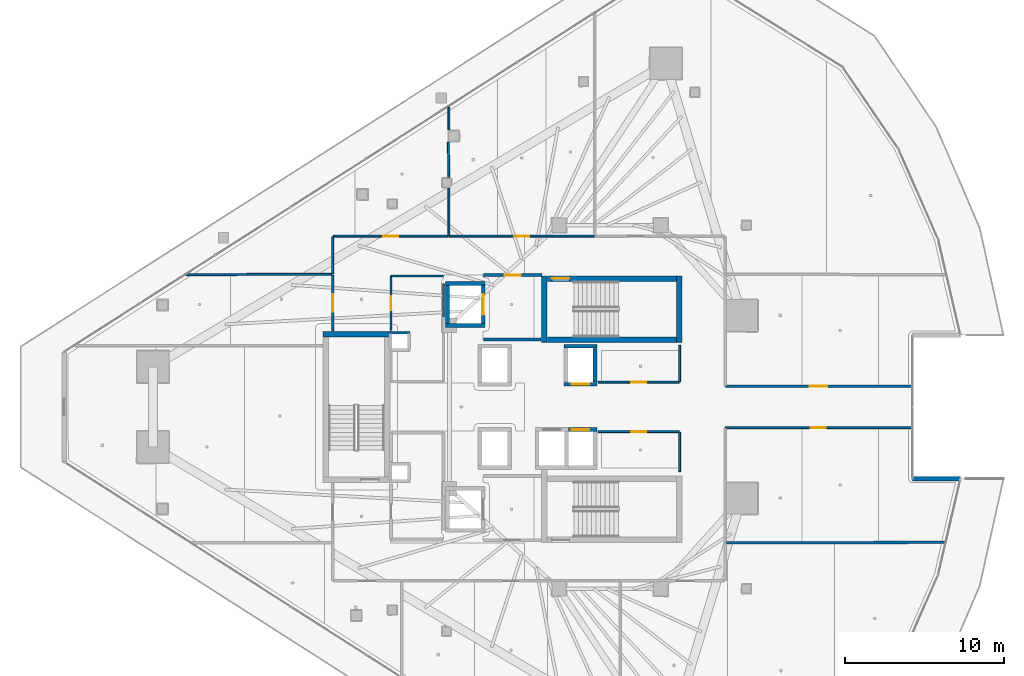
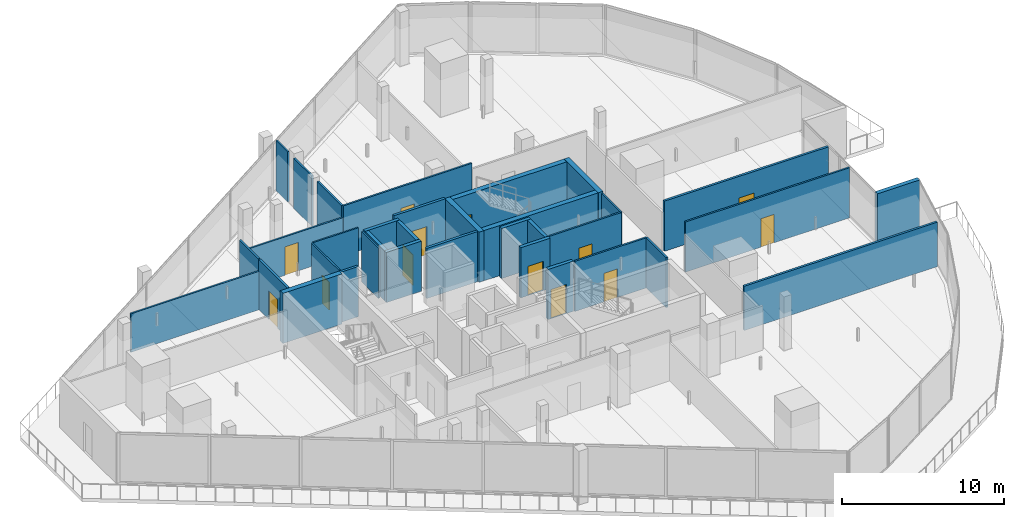
# One storey, part 26 of 36: 35 walls, 13 doors, 13 openings.
"""IFC4 building model written with IfcOpenShell, lengths in metres."""

from ifc_helpers import new_model, si_unit, direction, frame, frame_2d, origin, place, context, subcontext, project, spatial, rectangle, extrude, material, layer, layer_set, type_object, element, fill, save


model = new_model("IFC4")

# Units and contexts
model_context = context("Model", 3, precision=1e-05, world=origin(), true_north=direction((0.0, 1.0)))
body_context = subcontext(model_context, "Body", "Model", "MODEL_VIEW")
ifc_project = project(units=[si_unit("LENGTHUNIT", "METRE"), si_unit("AREAUNIT", "SQUARE_METRE"), si_unit("VOLUMEUNIT", "CUBIC_METRE"), si_unit("PLANEANGLEUNIT", "RADIAN"), si_unit("MASSUNIT", "GRAM", prefix="KILO")], contexts=[model_context])

# Site, building, storey
site_placement = place(None, origin())
site = spatial("IfcSite", under=ifc_project, at=site_placement, CompositionType="ELEMENT")
building_placement = place(site_placement, origin())
building = spatial("IfcBuilding", under=site, at=building_placement, Name="Qorvath Tower", CompositionType="ELEMENT")
storey_placement = place(building_placement, frame((0.0, 0.0, 205.050048828125)))
storey = spatial("IfcBuildingStorey", under=building, at=storey_placement, Name="L47", CompositionType="ELEMENT", Elevation=205.050048828125)

# Walls
ifc_material_1 = material(Name="Gypsum shaftliner on steel studs", Category="steel")
ifc_layer_1 = layer(ifc_material_1, 0.179931640625)
ifc_layer_set_1 = layer_set([ifc_layer_1], Name="FW-LOBBY")
wall_type_1 = type_object("IfcWallType", Name="FW-LOBBY", PredefinedType="PARTITIONING", material=ifc_layer_set_1)
wall_1_placement = place(storey_placement, frame((-34.260009765625, 4.675048828125, 0.0), z_axis=(0.0, 0.0, 1.0), x_axis=(1.0, 0.0, 0.0)))
element("IfcWall", 1, at=wall_1_placement, inside=storey, type_object=wall_type_1, Name="MEP Riser Shaft Enclosure Wall N-L47-N", PredefinedType="PARTITIONING", context=body_context, shape_type="SweptSolid", body=[
    extrude(rectangle(XDim=1.27001953125, YDim=0.179931640625, at=frame_2d((0.635009765625, 0.0))), origin(), (0.0, 0.0, 1.0), 3.780029296875),
])
wall_2_placement = place(storey_placement, frame((-28.35498046875, 4.25, 0.0), z_axis=(0.0, 0.0, 1.0), x_axis=(1.0, 0.0, 0.0)))
element("IfcWall", 2, at=wall_2_placement, inside=storey, type_object=wall_type_1, Name="Interior Partition IW-T1-L47-001", PredefinedType="PARTITIONING", context=body_context, shape_type="SweptSolid", body=[
    extrude(rectangle(XDim=3.6220703125, YDim=0.179931640625, at=frame_2d((1.81103515625, 0.0))), origin(), (0.0, 0.0, 1.0), 3.780029296875),
])

# Wall, opening, door
wall_3_placement = place(storey_placement, frame((-24.68408203125, 8.300048828125, 0.0), z_axis=(0.0, 0.0, 1.0), x_axis=(-1.0, 0.0, 0.0)))
wall_3 = element("IfcWall", 3, at=wall_3_placement, inside=storey, type_object=wall_type_1, Name="Interior Partition IW-T1-L47-002", PredefinedType="PARTITIONING", context=body_context, shape_type="SweptSolid", body=[
    extrude(rectangle(XDim=3.6708984375, YDim=0.179931640625, at=frame_2d((1.83544921875, 0.0))), origin(), (0.0, 0.0, 1.0), 3.780029296875),
])
opening_1_placement = place(wall_3_placement, frame((1.33544921875, 0.0, 0.0)))
opening_1 = element("IfcOpeningElement", 4, at=opening_1_placement, cuts=wall_3, Name="Opening D-T1-L47-15", PredefinedType="OPENING", context=body_context, shape_type="SweptSolid", body=[
    extrude(rectangle(XDim=1.0, YDim=2.14990234375, at=frame_2d((0.5, 1.074951171875))), frame((0.0, 0.10009765625, 0.0), z_axis=(0.0, -1.0, 0.0), x_axis=(1.0, 0.0, 0.0)), (0.0, 0.0, 1.0), 0.199951171875),
])
ifc_material_2 = material(Name="Painted galvanised hollow metal", Category="steel")
door_type_1 = type_object("IfcDoorType", Name="FD-60", OperationType="NOTDEFINED", PredefinedType="DOOR", material=ifc_material_2)
door_1_placement = place(opening_1_placement, origin())
door_1 = element("IfcDoor", 5, at=door_1_placement, inside=storey, type_object=door_type_1, Name="Lobby Fire Service Elevator North Door D-T1-L47-15", OperationType="SINGLE_SWING_LEFT", OverallHeight=2.14990234375, OverallWidth=1.0, PredefinedType="DOOR", context=body_context, shape_type="SweptSolid", body=[
    extrude(rectangle(XDim=1.0, YDim=2.14990234375, at=frame_2d((0.5, 1.074951171875))), frame((0.0, 0.02490234375, 0.0), z_axis=(0.0, -1.0, 0.0), x_axis=(1.0, 0.0, 0.0)), (0.0, 0.0, 1.0), 0.050048828125),
])
fill(opening_1, door_1)

# Wall
ifc_material_3 = material(Name="Double acoustic gypsum board on steel studs", Category="steel")
ifc_layer_2 = layer(ifc_material_3, 0.159912109375)
ifc_layer_set_2 = layer_set([ifc_layer_2], Name="IW-ACOUSTIC-160")
wall_type_2 = type_object("IfcWallType", Name="IW-ACOUSTIC-160", PredefinedType="PARTITIONING", material=ifc_layer_set_2)
wall_4_placement = place(storey_placement, frame((0.671630859375, -8.534423828125, 0.0), z_axis=(0.0, 0.0, 1.0), x_axis=(-0.99999935797, -0.001133163812, 0.0)))
element("IfcWall", 6, at=wall_4_placement, inside=storey, type_object=wall_type_2, Name="Interior Partition IW-T1-L47-038", PredefinedType="PARTITIONING", context=body_context, shape_type="SweptSolid", body=[
    extrude(rectangle(XDim=13.788818359375, YDim=0.159912109375, at=frame_2d((6.89453125, 0.0))), origin(), (0.0, 0.0, 1.0), 3.34423828125),
])

# Wall, opening, door
wall_5_placement = place(storey_placement, frame((-13.1171875, 1.30810546875, 0.0), z_axis=(0.0, 0.0, 1.0), x_axis=(1.0, 0.0, 0.0)))
wall_5 = element("IfcWall", 7, at=wall_5_placement, inside=storey, type_object=wall_type_2, Name="Interior Partition IW-T1-L47-044", PredefinedType="PARTITIONING", context=body_context, shape_type="SweptSolid", body=[
    extrude(rectangle(XDim=11.7080078125, YDim=0.159912109375, at=frame_2d((5.85400390625, 0.0))), origin(), (0.0, 0.0, 1.0), 3.780029296875),
])
opening_2_placement = place(wall_5_placement, frame((5.303955078125, 0.0, 0.0)))
opening_2 = element("IfcOpeningElement", 8, at=opening_2_placement, cuts=wall_5, Name="Opening D-T1-L47-12", PredefinedType="OPENING", context=body_context, shape_type="SweptSolid", body=[
    extrude(rectangle(XDim=1.10009765625, YDim=2.14990234375, at=frame_2d((0.550048828125, 1.074951171875))), frame((0.0, 0.08984375, 0.0), z_axis=(0.0, -1.0, 0.0), x_axis=(1.0, 0.0, 0.0)), (0.0, 0.0, 1.0), 0.179931640625),
])
ifc_material_4 = material(Name="Anodised aluminium acoustic framed glass", Category="aluminium")
door_type_2 = type_object("IfcDoorType", Name="D-03", OperationType="NOTDEFINED", PredefinedType="DOOR", material=ifc_material_4)
door_2_placement = place(opening_2_placement, origin())
door_2 = element("IfcDoor", 9, at=door_2_placement, inside=storey, type_object=door_type_2, Name="L47-08 Enclosed Conference Suite Door D-T1-L47-12", OperationType="SINGLE_SWING_RIGHT", OverallHeight=2.14990234375, OverallWidth=1.10009765625, PredefinedType="DOOR", context=body_context, shape_type="SweptSolid", body=[
    extrude(rectangle(XDim=1.10009765625, YDim=2.14990234375, at=frame_2d((0.550048828125, 1.074951171875))), frame((0.0, 0.02490234375, 0.0), z_axis=(0.0, -1.0, 0.0), x_axis=(1.0, 0.0, 0.0)), (0.0, 0.0, 1.0), 0.050048828125),
])
fill(opening_2, door_2)

wall_6_placement = place(storey_placement, frame((-37.85791015625, 4.783203125, 0.0), z_axis=(0.0, 0.0, 1.0), x_axis=(0.0, 1.0, 0.0)))
wall_6 = element("IfcWall", 10, at=wall_6_placement, inside=storey, type_object=wall_type_2, Name="Interior Partition IW-T1-L47-047", PredefinedType="PARTITIONING", context=body_context, shape_type="SweptSolid", body=[
    extrude(rectangle(XDim=3.53369140625, YDim=0.159912109375, at=frame_2d((1.766845703125, 0.0))), origin(), (0.0, 0.0, 1.0), 3.780029296875),
])
opening_3_placement = place(wall_6_placement, frame((1.216796875, 0.0, 0.0)))
opening_3 = element("IfcOpeningElement", 11, at=opening_3_placement, cuts=wall_6, Name="Opening D-T1-L47-14", PredefinedType="OPENING", context=body_context, shape_type="SweptSolid", body=[
    extrude(rectangle(XDim=1.10009765625, YDim=2.14990234375, at=frame_2d((0.550048828125, 1.074951171875))), frame((0.0, 0.08984375, 0.0), z_axis=(0.0, -1.0, 0.0), x_axis=(1.0, 0.0, 0.0)), (0.0, 0.0, 1.0), 0.179931640625),
])
door_3_placement = place(opening_3_placement, origin())
door_3 = element("IfcDoor", 12, at=door_3_placement, inside=storey, type_object=door_type_2, Name="L47-10 Client Services Office Door D-T1-L47-14", OperationType="SINGLE_SWING_RIGHT", OverallHeight=2.14990234375, OverallWidth=1.10009765625, PredefinedType="DOOR", context=body_context, shape_type="SweptSolid", body=[
    extrude(rectangle(XDim=1.10009765625, YDim=2.14990234375, at=frame_2d((0.550048828125, 1.074951171875))), frame((0.0, 0.02490234375, 0.0), z_axis=(0.0, -1.0, 0.0), x_axis=(1.0, 0.0, 0.0)), (0.0, 0.0, 1.0), 0.050048828125),
])
fill(opening_3, door_3)

ifc_material_5 = material(Name="Gypsum board on metal studs with mineral wool", Category="gypsum")
ifc_layer_3 = layer(ifc_material_5, 0.125)
ifc_layer_set_3 = layer_set([ifc_layer_3], Name="IW-PART-125")
wall_type_3 = type_object("IfcWallType", Name="IW-PART-125", PredefinedType="PARTITIONING", material=ifc_layer_set_3)
wall_7_placement = place(storey_placement, frame((-21.1337890625, 1.56005859375, 0.0), z_axis=(0.0, 0.0, 1.0), x_axis=(1.0, 0.0, 0.0)))
wall_7 = element("IfcWall", 13, at=wall_7_placement, inside=storey, type_object=wall_type_3, Name="Interior Partition IW-T1-L47-011", PredefinedType="PARTITIONING", context=body_context, shape_type="SweptSolid", body=[
    extrude(rectangle(XDim=5.10888671875, YDim=0.125, at=frame_2d((2.554443359375, 0.0))), origin(), (0.0, 0.0, 1.0), 3.780029296875),
])
opening_4_placement = place(wall_7_placement, frame((2.079345703125, 0.0, 0.0)))
opening_4 = element("IfcOpeningElement", 14, at=opening_4_placement, cuts=wall_7, Name="Opening D-T1-L47-02", PredefinedType="OPENING", context=body_context, shape_type="SweptSolid", body=[
    extrude(rectangle(XDim=0.949951171875, YDim=2.14990234375, at=frame_2d((0.47509765625, 1.074951171875))), frame((0.0, 0.072509765625, 0.0), z_axis=(0.0, -1.0, 0.0), x_axis=(1.0, 0.0, 0.0)), (0.0, 0.0, 1.0), 0.14501953125),
])
ifc_material_6 = material(Name="Solid-core American white oak veneer", Category="wood")
door_type_3 = type_object("IfcDoorType", Name="D-01", OperationType="NOTDEFINED", PredefinedType="DOOR", material=ifc_material_6)
door_4_placement = place(opening_4_placement, origin())
door_4 = element("IfcDoor", 15, at=door_4_placement, inside=storey, type_object=door_type_3, Name="L47-RCN North Quantitative Server Suite Door D-T1-L47-02", OperationType="SINGLE_SWING_RIGHT", OverallHeight=2.14990234375, OverallWidth=0.949951171875, PredefinedType="DOOR", context=body_context, shape_type="SweptSolid", body=[
    extrude(rectangle(XDim=0.949951171875, YDim=2.14990234375, at=frame_2d((0.47509765625, 1.074951171875))), frame((0.0, 0.02490234375, 0.0), z_axis=(0.0, -1.0, 0.0), x_axis=(1.0, 0.0, 0.0)), (0.0, 0.0, 1.0), 0.050048828125),
])
fill(opening_4, door_4)

# Walls
wall_8_placement = place(storey_placement, frame((-16.0, 1.585205078125, 0.0), z_axis=(0.0, 0.0, 1.0), x_axis=(0.0, 1.0, 0.0)))
element("IfcWall", 16, at=wall_8_placement, inside=storey, type_object=wall_type_3, Name="Interior Partition IW-T1-L47-012", PredefinedType="PARTITIONING", context=body_context, shape_type="SweptSolid", body=[
    extrude(rectangle(XDim=2.30224609375, YDim=0.125, at=frame_2d((1.151123046875, 0.0))), origin(), (0.0, 0.0, 1.0), 3.780029296875),
])
wall_9_placement = place(storey_placement, frame((-16.0, -4.0751953125, 0.0), z_axis=(0.0, 0.0, 1.0), x_axis=(0.0, 1.0, 0.0)))
element("IfcWall", 17, at=wall_9_placement, inside=storey, type_object=wall_type_3, Name="Interior Partition IW-T1-L47-013", PredefinedType="PARTITIONING", context=body_context, shape_type="SweptSolid", body=[
    extrude(rectangle(XDim=2.489990234375, YDim=0.125, at=frame_2d((1.2451171875, 0.0))), origin(), (0.0, 0.0, 1.0), 3.780029296875),
])

# Wall, opening, door
wall_10_placement = place(storey_placement, frame((-16.02490234375, -1.56005859375, 0.0), z_axis=(0.0, 0.0, 1.0), x_axis=(-1.0, 0.0, 0.0)))
wall_10 = element("IfcWall", 18, at=wall_10_placement, inside=storey, type_object=wall_type_3, Name="Interior Partition IW-T1-L47-014", PredefinedType="PARTITIONING", context=body_context, shape_type="SweptSolid", body=[
    extrude(rectangle(XDim=5.10888671875, YDim=0.125, at=frame_2d((2.554443359375, 0.0))), origin(), (0.0, 0.0, 1.0), 3.780029296875),
])
opening_5_placement = place(wall_10_placement, frame((2.079345703125, 0.0, 0.0)))
opening_5 = element("IfcOpeningElement", 19, at=opening_5_placement, cuts=wall_10, Name="Opening D-T1-L47-03", PredefinedType="OPENING", context=body_context, shape_type="SweptSolid", body=[
    extrude(rectangle(XDim=0.949951171875, YDim=2.14990234375, at=frame_2d((0.47509765625, 1.074951171875))), frame((0.0, 0.072509765625, 0.0), z_axis=(0.0, -1.0, 0.0), x_axis=(1.0, 0.0, 0.0)), (0.0, 0.0, 1.0), 0.14501953125),
])
door_5_placement = place(opening_5_placement, origin())
door_5 = element("IfcDoor", 20, at=door_5_placement, inside=storey, type_object=door_type_3, Name="L47-RCS South Quantitative Server Suite Door D-T1-L47-03", OperationType="SINGLE_SWING_LEFT", OverallHeight=2.14990234375, OverallWidth=0.949951171875, PredefinedType="DOOR", context=body_context, shape_type="SweptSolid", body=[
    extrude(rectangle(XDim=0.949951171875, YDim=2.14990234375, at=frame_2d((0.47509765625, 1.074951171875))), frame((0.0, 0.02490234375, 0.0), z_axis=(0.0, -1.0, 0.0), x_axis=(1.0, 0.0, 0.0)), (0.0, 0.0, 1.0), 0.050048828125),
])
fill(opening_5, door_5)

# Wall
wall_11_placement = place(storey_placement, frame((-37.85791015625, 10.733154296875, 0.0), z_axis=(0.0, 0.0, 1.0), x_axis=(0.0, -1.0, 0.0)))
element("IfcWall", 21, at=wall_11_placement, inside=storey, type_object=wall_type_3, Name="Interior Partition IW-T1-L47-021", PredefinedType="PARTITIONING", context=body_context, shape_type="SweptSolid", body=[
    extrude(rectangle(XDim=2.358154296875, YDim=0.125, at=frame_2d((1.17919921875, 0.0))), origin(), (0.0, 0.0, 1.0), 3.780029296875),
])

# Wall, opening, door
wall_12_placement = place(storey_placement, frame((-37.8330078125, 10.758056640625, 0.0), z_axis=(0.0, 0.0, 1.0), x_axis=(1.0, 0.0, 0.0)))
wall_12 = element("IfcWall", 22, at=wall_12_placement, inside=storey, type_object=wall_type_3, Name="Interior Partition IW-T1-L47-022", PredefinedType="PARTITIONING", context=body_context, shape_type="SweptSolid", body=[
    extrude(rectangle(XDim=7.26318359375, YDim=0.125, at=frame_2d((3.631591796875, 0.0))), origin(), (0.0, 0.0, 1.0), 2.89990234375),
])
opening_6_placement = place(wall_12_placement, frame((3.156494140625, 0.0, 0.0)))
opening_6 = element("IfcOpeningElement", 23, at=opening_6_placement, cuts=wall_12, Name="Opening D-T1-L47-05", PredefinedType="OPENING", context=body_context, shape_type="SweptSolid", body=[
    extrude(rectangle(XDim=0.949951171875, YDim=2.14990234375, at=frame_2d((0.47509765625, 1.074951171875))), frame((0.0, 0.072509765625, 0.0), z_axis=(0.0, -1.0, 0.0), x_axis=(1.0, 0.0, 0.0)), (0.0, 0.0, 1.0), 0.14501953125),
])
door_6_placement = place(opening_6_placement, origin())
door_6 = element("IfcDoor", 24, at=door_6_placement, inside=storey, type_object=door_type_3, Name="L47-01 Staff Wellness Studio Door D-T1-L47-05", OperationType="SINGLE_SWING_LEFT", OverallHeight=2.14990234375, OverallWidth=0.949951171875, PredefinedType="DOOR", context=body_context, shape_type="SweptSolid", body=[
    extrude(rectangle(XDim=0.949951171875, YDim=2.14990234375, at=frame_2d((0.47509765625, 1.074951171875))), frame((0.0, 0.02490234375, 0.0), z_axis=(0.0, -1.0, 0.0), x_axis=(1.0, 0.0, 0.0)), (0.0, 0.0, 1.0), 0.050048828125),
])
fill(opening_6, door_6)

# Walls
wall_13_placement = place(storey_placement, frame((-30.544921875, 10.783203125, 0.0), z_axis=(0.0, 0.0, 1.0), x_axis=(0.0, 1.0, 0.0)))
element("IfcWall", 25, at=wall_13_placement, inside=storey, type_object=wall_type_3, Name="Interior Partition IW-T1-L47-023", PredefinedType="PARTITIONING", context=body_context, shape_type="SweptSolid", body=[
    extrude(rectangle(XDim=3.0009765625, YDim=0.125, at=frame_2d((1.50048828125, 0.0))), origin(), (0.0, 0.0, 1.0), 3.780029296875),
])
wall_14_placement = place(storey_placement, frame((-30.54541015625, 14.46435546875, 0.0), z_axis=(0.0, 0.0, 1.0), x_axis=(-0.01173394248, 0.999931154927, 0.0)))
element("IfcWall", 26, at=wall_14_placement, inside=storey, type_object=wall_type_3, Name="Interior Partition IW-T1-L47-024", PredefinedType="PARTITIONING", context=body_context, shape_type="SweptSolid", body=[
    extrude(rectangle(XDim=2.20556640625, YDim=0.125, at=frame_2d((1.102783203125, 0.0))), origin(), (0.0, 0.0, 1.0), 3.780029296875),
])
wall_15_placement = place(storey_placement, frame((-30.544921875, 17.44970703125, 0.0), z_axis=(0.0, 0.0, 1.0), x_axis=(0.0, 1.0, 0.0)))
element("IfcWall", 27, at=wall_15_placement, inside=storey, type_object=wall_type_3, Name="Interior Partition IW-T1-L47-025", PredefinedType="PARTITIONING", context=body_context, shape_type="SweptSolid", body=[
    extrude(rectangle(XDim=1.420166015625, YDim=0.125, at=frame_2d((0.7099609375, 0.0))), origin(), (0.0, 0.0, 1.0), 3.780029296875),
])
wall_16_placement = place(storey_placement, frame((-47.072998046875, 8.335205078125, 0.0), z_axis=(0.0, 0.0, 1.0), x_axis=(0.999998687013, 0.001620485081, 0.0)))
element("IfcWall", 28, at=wall_16_placement, inside=storey, type_object=wall_type_3, Name="Interior Partition IW-T1-L47-026", PredefinedType="PARTITIONING", context=body_context, shape_type="SweptSolid", body=[
    extrude(rectangle(XDim=9.190185546875, YDim=0.125, at=frame_2d((4.59521484375, 0.0))), origin(), (0.0, 0.0, 1.0), 2.89990234375),
])

# Wall, opening, door
wall_17_placement = place(storey_placement, frame((-30.511962890625, 10.758056640625, 0.0), z_axis=(0.0, 0.0, 1.0), x_axis=(1.0, 0.0, 0.0)))
wall_17 = element("IfcWall", 29, at=wall_17_placement, inside=storey, type_object=wall_type_3, Name="Interior Partition IW-T1-L47-027", PredefinedType="PARTITIONING", context=body_context, shape_type="SweptSolid", body=[
    extrude(rectangle(XDim=9.14111328125, YDim=0.125, at=frame_2d((4.570556640625, 0.0))), origin(), (0.0, 0.0, 1.0), 3.780029296875),
])
opening_7_placement = place(wall_17_placement, frame((4.095703125, 0.0, 0.0)))
opening_7 = element("IfcOpeningElement", 30, at=opening_7_placement, cuts=wall_17, Name="Opening D-T1-L47-06", PredefinedType="OPENING", context=body_context, shape_type="SweptSolid", body=[
    extrude(rectangle(XDim=0.949951171875, YDim=2.14990234375, at=frame_2d((0.47509765625, 1.074951171875))), frame((0.0, 0.072509765625, 0.0), z_axis=(0.0, -1.0, 0.0), x_axis=(1.0, 0.0, 0.0)), (0.0, 0.0, 1.0), 0.14501953125),
])
door_7_placement = place(opening_7_placement, origin())
door_7 = element("IfcDoor", 31, at=door_7_placement, inside=storey, type_object=door_type_3, Name="L47-02 Design Pin-Up Atelier Door D-T1-L47-06", OperationType="SINGLE_SWING_RIGHT", OverallHeight=2.14990234375, OverallWidth=0.949951171875, PredefinedType="DOOR", context=body_context, shape_type="SweptSolid", body=[
    extrude(rectangle(XDim=0.949951171875, YDim=2.14990234375, at=frame_2d((0.47509765625, 1.074951171875))), frame((0.0, 0.02490234375, 0.0), z_axis=(0.0, -1.0, 0.0), x_axis=(1.0, 0.0, 0.0)), (0.0, 0.0, 1.0), 0.050048828125),
])
fill(opening_7, door_7)

wall_18_placement = place(storey_placement, frame((-1.4091796875, -1.30810546875, 0.0), z_axis=(0.0, 0.0, 1.0), x_axis=(-1.0, 0.0, 0.0)))
wall_18 = element("IfcWall", 32, at=wall_18_placement, inside=storey, type_object=wall_type_3, Name="Interior Partition IW-T1-L47-041", PredefinedType="PARTITIONING", context=body_context, shape_type="SweptSolid", body=[
    extrude(rectangle(XDim=11.7080078125, YDim=0.125, at=frame_2d((5.85400390625, 0.0))), origin(), (0.0, 0.0, 1.0), 3.780029296875),
])
opening_8_placement = place(wall_18_placement, frame((5.37890625, 0.0, 0.0)))
opening_8 = element("IfcOpeningElement", 33, at=opening_8_placement, cuts=wall_18, Name="Opening D-T1-L47-11", PredefinedType="OPENING", context=body_context, shape_type="SweptSolid", body=[
    extrude(rectangle(XDim=0.949951171875, YDim=2.14990234375, at=frame_2d((0.47509765625, 1.074951171875))), frame((0.0, 0.072509765625, 0.0), z_axis=(0.0, -1.0, 0.0), x_axis=(1.0, 0.0, 0.0)), (0.0, 0.0, 1.0), 0.14501953125),
])
door_8_placement = place(opening_8_placement, origin())
door_8 = element("IfcDoor", 34, at=door_8_placement, inside=storey, type_object=door_type_3, Name="L47-07 Open Workplace Studio Door D-T1-L47-11", OperationType="SINGLE_SWING_LEFT", OverallHeight=2.14990234375, OverallWidth=0.949951171875, PredefinedType="DOOR", context=body_context, shape_type="SweptSolid", body=[
    extrude(rectangle(XDim=0.949951171875, YDim=2.14990234375, at=frame_2d((0.47509765625, 1.074951171875))), frame((0.0, 0.02490234375, 0.0), z_axis=(0.0, -1.0, 0.0), x_axis=(1.0, 0.0, 0.0)), (0.0, 0.0, 1.0), 0.050048828125),
])
fill(opening_8, door_8)

# Walls
ifc_material_7 = material(Name="Moisture-resistant cement board on metal studs", Category="gypsum")
ifc_layer_4 = layer(ifc_material_7, 0.110107421875)
ifc_layer_set_4 = layer_set([ifc_layer_4], Name="IW-WC-110")
wall_type_4 = type_object("IfcWallType", Name="IW-WC-110", PredefinedType="PARTITIONING", material=ifc_layer_set_4)
wall_19_placement = place(storey_placement, frame((-30.8798828125, 5.6650390625, 0.0), z_axis=(0.0, 0.0, 1.0), x_axis=(0.0, 1.0, 0.0)))
element("IfcWall", 35, at=wall_19_placement, inside=storey, type_object=wall_type_4, Name="Interior Partition IW-T1-L47-007", PredefinedType="PARTITIONING", context=body_context, shape_type="SweptSolid", body=[
    extrude(rectangle(XDim=2.077880859375, YDim=0.110107421875, at=frame_2d((1.0390625, 0.0))), origin(), (0.0, 0.0, 1.0), 3.780029296875),
])
wall_20_placement = place(storey_placement, frame((-30.90478515625, 8.25, 0.0), z_axis=(0.0, 0.0, 1.0), x_axis=(-1.0, 0.0, 0.0)))
element("IfcWall", 36, at=wall_20_placement, inside=storey, type_object=wall_type_4, Name="Interior Partition IW-T1-L47-008", PredefinedType="PARTITIONING", context=body_context, shape_type="SweptSolid", body=[
    extrude(rectangle(XDim=3.25, YDim=0.110107421875, at=frame_2d((1.625, 0.0))), origin(), (0.0, 0.0, 1.0), 3.780029296875),
])

# Wall, opening, door
wall_21_placement = place(storey_placement, frame((-34.179931640625, 8.22509765625, 0.0), z_axis=(0.0, 0.0, 1.0), x_axis=(0.0, -1.0, 0.0)))
wall_21 = element("IfcWall", 37, at=wall_21_placement, inside=storey, type_object=wall_type_4, Name="Interior Partition IW-T1-L47-009", PredefinedType="PARTITIONING", context=body_context, shape_type="SweptSolid", body=[
    extrude(rectangle(XDim=3.385009765625, YDim=0.110107421875, at=frame_2d((1.6923828125, 0.0))), origin(), (0.0, 0.0, 1.0), 3.780029296875),
])
opening_9_placement = place(wall_21_placement, frame((1.25244140625, 0.0, 0.0)))
opening_9 = element("IfcOpeningElement", 38, at=opening_9_placement, cuts=wall_21, Name="Opening D-T1-L47-01", PredefinedType="OPENING", context=body_context, shape_type="SweptSolid", body=[
    extrude(rectangle(XDim=0.8798828125, YDim=2.10009765625, at=frame_2d((0.43994140625, 1.050048828125))), frame((0.0, 0.06494140625, 0.0), z_axis=(0.0, -1.0, 0.0), x_axis=(1.0, 0.0, 0.0)), (0.0, 0.0, 1.0), 0.130126953125),
])
ifc_material_8 = material(Name="Solid-core oak with acoustic drop seal", Category="wood")
door_type_4 = type_object("IfcDoorType", Name="D-02", OperationType="NOTDEFINED", PredefinedType="DOOR", material=ifc_material_8)
door_9_placement = place(opening_9_placement, origin())
door_9 = element("IfcDoor", 39, at=door_9_placement, inside=storey, type_object=door_type_4, Name="Accessible WC North L47 Door D-T1-L47-01", OperationType="SINGLE_SWING_LEFT", OverallHeight=2.10009765625, OverallWidth=0.8798828125, PredefinedType="DOOR", context=body_context, shape_type="SweptSolid", body=[
    extrude(rectangle(XDim=0.8798828125, YDim=2.10009765625, at=frame_2d((0.43994140625, 1.050048828125))), frame((0.0, 0.02490234375, 0.0), z_axis=(0.0, -1.0, 0.0), x_axis=(1.0, 0.0, 0.0)), (0.0, 0.0, 1.0), 0.050048828125),
])
fill(opening_9, door_9)

# Walls
ifc_material_9 = material(Name="Concrete C60/75", Category="concrete")
ifc_layer_5 = layer(ifc_material_9, 0.260009765625)
ifc_layer_set_5 = layer_set([ifc_layer_5], Name="SW-SHAFT")
wall_type_5 = type_object("IfcWallType", Name="SW-SHAFT", PredefinedType="SHEAR", material=ifc_layer_set_5)
for number, where, z_axis, x_axis, name in (
    (40, (-28.260009765625, 5.1298828125, 0.0), (0.0, 0.0, 1.0), (-1.0, 0.0, 0.0), "Hoistway Wall FSAE-1 L47 S"),
    (41, (-30.739990234375, 7.77001953125, 0.0), (0.0, 0.0, 1.0), (1.0, 0.0, 0.0), "Hoistway Wall FSAE-1 L47 N"),
):
    element("IfcWall", number, at=place(storey_placement, frame(where, z_axis=z_axis, x_axis=x_axis)), inside=storey, type_object=wall_type_5, Name=name, PredefinedType="SHEAR", context=body_context, shape_type="SweptSolid", body=[
        extrude(rectangle(XDim=2.47998046875, YDim=0.239990234375, at=frame_2d((1.239990234375, 0.0))), origin(), (0.0, 0.0, 1.0), 3.780029296875),
    ])
wall_22_placement = place(storey_placement, frame((-30.6201171875, 5.261962890625, 0.0), z_axis=(0.0, 0.0, 1.0), x_axis=(0.0, 1.0, 0.0)))
element("IfcWall", 42, at=wall_22_placement, inside=storey, type_object=wall_type_5, Name="Hoistway Wall FSAE-1 L47 W", PredefinedType="SHEAR", context=body_context, shape_type="SweptSolid", body=[
    extrude(rectangle(XDim=2.3759765625, YDim=0.239990234375, at=frame_2d((1.18798828125, 0.0))), origin(), (0.0, 0.0, 1.0), 3.780029296875),
])

# Wall, opening, door
wall_23_placement = place(storey_placement, frame((-28.3798828125, 7.637939453125, 0.0), z_axis=(0.0, 0.0, 1.0), x_axis=(0.0, -1.0, 0.0)))
wall_23 = element("IfcWall", 43, at=wall_23_placement, inside=storey, type_object=wall_type_5, Name="Hoistway Wall FSAE-1 L47 E", PredefinedType="SHEAR", context=body_context, shape_type="SweptSolid", body=[
    extrude(rectangle(XDim=2.3759765625, YDim=0.239990234375, at=frame_2d((1.18798828125, 0.0))), origin(), (0.0, 0.0, 1.0), 3.780029296875),
])
opening_10_placement = place(wall_23_placement, frame((0.537841796875, 0.0, 0.0)))
opening_10 = element("IfcOpeningElement", 44, at=opening_10_placement, cuts=wall_23, Name="Opening LD-FSAE-1-L47", PredefinedType="OPENING", context=body_context, shape_type="SweptSolid", body=[
    extrude(rectangle(XDim=1.300048828125, YDim=2.300048828125, at=frame_2d((0.64990234375, 1.14990234375))), frame((0.0, 0.1298828125, 0.0), z_axis=(0.0, -1.0, 0.0), x_axis=(1.0, 0.0, 0.0)), (0.0, 0.0, 1.0), 0.260009765625),
])
ifc_material_10 = material(Name="Brushed stainless steel AISI 316", Category="steel")
door_type_5 = type_object("IfcDoorType", Name="LD-02", OperationType="NOTDEFINED", PredefinedType="DOOR", material=ifc_material_10)
door_10_placement = place(opening_10_placement, origin())
door_10 = element("IfcDoor", 45, at=door_10_placement, inside=storey, type_object=door_type_5, Name="Elevator Landing Sliding Door LD-FSAE-1-L47", OperationType="DOUBLE_DOOR_SLIDING", OverallHeight=2.300048828125, OverallWidth=1.300048828125, PredefinedType="DOOR", context=body_context, shape_type="SweptSolid", body=[
    extrude(rectangle(XDim=1.300048828125, YDim=2.300048828125, at=frame_2d((0.64990234375, 1.14990234375))), frame((0.0, 0.02490234375, 0.0), z_axis=(0.0, -1.0, 0.0), x_axis=(1.0, 0.0, 0.0)), (0.0, 0.0, 1.0), 0.050048828125),
])
fill(opening_10, door_10)

wall_24_placement = place(storey_placement, frame((-21.2099609375, 1.429931640625, 0.0), z_axis=(0.0, 0.0, 1.0), x_axis=(-1.0, 0.0, 0.0)))
wall_24 = element("IfcWall", 46, at=wall_24_placement, inside=storey, type_object=wall_type_5, Name="Hoistway Wall PU-1 L47 S", PredefinedType="SHEAR", context=body_context, shape_type="SweptSolid", body=[
    extrude(rectangle(XDim=2.080078125, YDim=0.239990234375, at=frame_2d((1.0400390625, 0.0))), origin(), (0.0, 0.0, 1.0), 3.780029296875),
])
opening_11_placement = place(wall_24_placement, frame((0.489990234375, 0.0, 0.0)))
opening_11 = element("IfcOpeningElement", 47, at=opening_11_placement, cuts=wall_24, Name="Opening LD-PU-1-L47", PredefinedType="OPENING", context=body_context, shape_type="SweptSolid", body=[
    extrude(rectangle(XDim=1.10009765625, YDim=2.199951171875, at=frame_2d((0.550048828125, 1.10009765625))), frame((0.0, 0.1298828125, 0.0), z_axis=(0.0, -1.0, 0.0), x_axis=(1.0, 0.0, 0.0)), (0.0, 0.0, 1.0), 0.260009765625),
])
ifc_material_11 = material(Name="Brushed stainless steel AISI 316", Category="steel")
door_type_6 = type_object("IfcDoorType", Name="LD-01", OperationType="NOTDEFINED", PredefinedType="DOOR", material=ifc_material_11)
door_11_placement = place(opening_11_placement, origin())
door_11 = element("IfcDoor", 48, at=door_11_placement, inside=storey, type_object=door_type_6, Name="Elevator Landing Sliding Door LD-PU-1-L47", OperationType="DOUBLE_DOOR_SLIDING", OverallHeight=2.199951171875, OverallWidth=1.10009765625, PredefinedType="DOOR", context=body_context, shape_type="SweptSolid", body=[
    extrude(rectangle(XDim=1.10009765625, YDim=2.199951171875, at=frame_2d((0.550048828125, 1.10009765625))), frame((0.0, 0.02490234375, 0.0), z_axis=(0.0, -1.0, 0.0), x_axis=(1.0, 0.0, 0.0)), (0.0, 0.0, 1.0), 0.050048828125),
])
fill(opening_11, door_11)

# Walls
wall_25_placement = place(storey_placement, frame((-23.2900390625, 3.820068359375, 0.0), z_axis=(0.0, 0.0, 1.0), x_axis=(1.0, 0.0, 0.0)))
element("IfcWall", 49, at=wall_25_placement, inside=storey, type_object=wall_type_5, Name="Hoistway Wall PU-1 L47 N", PredefinedType="SHEAR", context=body_context, shape_type="SweptSolid", body=[
    extrude(rectangle(XDim=2.080078125, YDim=0.239990234375, at=frame_2d((1.0400390625, 0.0))), origin(), (0.0, 0.0, 1.0), 3.780029296875),
])
wall_26_placement = place(storey_placement, frame((-21.330078125, 3.68798828125, 0.0), z_axis=(0.0, 0.0, 1.0), x_axis=(0.0, -1.0, 0.0)))
element("IfcWall", 50, at=wall_26_placement, inside=storey, type_object=wall_type_5, Name="Hoistway Wall PU-1 L47 E", PredefinedType="SHEAR", context=body_context, shape_type="SweptSolid", body=[
    extrude(rectangle(XDim=2.1259765625, YDim=0.239990234375, at=frame_2d((1.06298828125, 0.0))), origin(), (0.0, 0.0, 1.0), 3.780029296875),
])

# Wall, opening, door
wall_27_placement = place(storey_placement, frame((-23.010009765625, -1.429931640625, 0.0), z_axis=(0.0, 0.0, 1.0), x_axis=(1.0, 0.0, 0.0)))
wall_27 = element("IfcWall", 51, at=wall_27_placement, inside=storey, type_object=wall_type_5, Name="Hoistway Wall PU-3 L47 N", PredefinedType="SHEAR", context=body_context, shape_type="SweptSolid", body=[
    extrude(rectangle(XDim=1.800048828125, YDim=0.239990234375, at=frame_2d((0.89990234375, 0.0))), origin(), (0.0, 0.0, 1.0), 3.780029296875),
])
opening_12_placement = place(wall_27_placement, frame((0.2099609375, 0.0, 0.0)))
opening_12 = element("IfcOpeningElement", 52, at=opening_12_placement, cuts=wall_27, Name="Opening LD-PU-3-L47", PredefinedType="OPENING", context=body_context, shape_type="SweptSolid", body=[
    extrude(rectangle(XDim=1.10009765625, YDim=2.199951171875, at=frame_2d((0.550048828125, 1.10009765625))), frame((0.0, 0.1298828125, 0.0), z_axis=(0.0, -1.0, 0.0), x_axis=(1.0, 0.0, 0.0)), (0.0, 0.0, 1.0), 0.260009765625),
])
door_12_placement = place(opening_12_placement, origin())
door_12 = element("IfcDoor", 53, at=door_12_placement, inside=storey, type_object=door_type_6, Name="Elevator Landing Sliding Door LD-PU-3-L47", OperationType="DOUBLE_DOOR_SLIDING", OverallHeight=2.199951171875, OverallWidth=1.10009765625, PredefinedType="DOOR", context=body_context, shape_type="SweptSolid", body=[
    extrude(rectangle(XDim=1.10009765625, YDim=2.199951171875, at=frame_2d((0.550048828125, 1.10009765625))), frame((0.0, 0.02490234375, 0.0), z_axis=(0.0, -1.0, 0.0), x_axis=(1.0, 0.0, 0.0)), (0.0, 0.0, 1.0), 0.050048828125),
])
fill(opening_12, door_12)

# Walls
ifc_material_12 = material(Name="Concrete C60/75", Category="concrete")
ifc_layer_6 = layer(ifc_material_12, 0.35009765625)
ifc_layer_set_6 = layer_set([ifc_layer_6], Name="SW-STAIR")
wall_type_6 = type_object("IfcWallType", Name="SW-STAIR", PredefinedType="SHEAR", material=ifc_layer_set_6)
for number, where, z_axis, x_axis, name in (
    (54, (-24.52490234375, 8.260009765625, 0.0), (0.0, 0.0, 1.0), (0.0, -1.0, 0.0), "Stair TS1 Shear Wall L47 NEAR"),
    (55, (-16.02490234375, 4.050048828125, 0.0), (0.0, 0.0, 1.0), (0.0, 1.0, 0.0), "Stair TS1 Shear Wall L47 FAR"),
):
    element("IfcWall", number, at=place(storey_placement, frame(where, z_axis=z_axis, x_axis=x_axis)), inside=storey, type_object=wall_type_6, Name=name, PredefinedType="SHEAR", context=body_context, shape_type="SweptSolid", body=[
        extrude(rectangle(XDim=4.2099609375, YDim=0.35009765625, at=frame_2d((2.10498046875, 0.0))), origin(), (0.0, 0.0, 1.0), 3.780029296875),
    ])
wall_28_placement = place(storey_placement, frame((-24.3349609375, 4.22509765625, 0.0), z_axis=(0.0, 0.0, 1.0), x_axis=(1.0, 0.0, 0.0)))
element("IfcWall", 56, at=wall_28_placement, inside=storey, type_object=wall_type_6, Name="Stair TS1 Shear Wall L47 LEFT", PredefinedType="SHEAR", context=body_context, shape_type="SweptSolid", body=[
    extrude(rectangle(XDim=8.119873046875, YDim=0.35009765625, at=frame_2d((4.06005859375, 0.0))), origin(), (0.0, 0.0, 1.0), 3.780029296875),
])

# Wall, opening, door
wall_29_placement = place(storey_placement, frame((-16.215087890625, 8.0849609375, 0.0), z_axis=(0.0, 0.0, 1.0), x_axis=(-1.0, 0.0, 0.0)))
wall_29 = element("IfcWall", 57, at=wall_29_placement, inside=storey, type_object=wall_type_6, Name="Stair TS1 Shear Wall L47 RIGHT", PredefinedType="SHEAR", context=body_context, shape_type="SweptSolid", body=[
    extrude(rectangle(XDim=8.119873046875, YDim=0.35009765625, at=frame_2d((4.06005859375, 0.0))), origin(), (0.0, 0.0, 1.0), 3.780029296875),
])
opening_13_placement = place(wall_29_placement, frame((6.739990234375, 0.0, 0.0)))
opening_13 = element("IfcOpeningElement", 58, at=opening_13_placement, cuts=wall_29, Name="Opening D-TS1-L47", PredefinedType="OPENING", context=body_context, shape_type="SweptSolid", body=[
    extrude(rectangle(XDim=1.10009765625, YDim=2.199951171875, at=frame_2d((0.550048828125, 1.10009765625))), frame((0.0, 0.18505859375, 0.0), z_axis=(0.0, -1.0, 0.0), x_axis=(1.0, 0.0, 0.0)), (0.0, 0.0, 1.0), 0.3701171875),
])
ifc_material_13 = material(Name="Painted galvanised hollow metal", Category="steel")
door_type_7 = type_object("IfcDoorType", Name="FD-90", OperationType="NOTDEFINED", PredefinedType="DOOR", material=ifc_material_13)
door_13_placement = place(opening_13_placement, origin())
door_13 = element("IfcDoor", 59, at=door_13_placement, inside=storey, type_object=door_type_7, Name="Stair TS1 Fire Door L47", OperationType="SINGLE_SWING_RIGHT", OverallHeight=2.199951171875, OverallWidth=1.10009765625, PredefinedType="DOOR", context=body_context, shape_type="SweptSolid", body=[
    extrude(rectangle(XDim=1.10009765625, YDim=2.199951171875, at=frame_2d((0.550048828125, 1.10009765625))), frame((0.0, 0.02490234375, 0.0), z_axis=(0.0, -1.0, 0.0), x_axis=(1.0, 0.0, 0.0)), (0.0, 0.0, 1.0), 0.050048828125),
])
fill(opening_13, door_13)

# Walls
wall_30_placement = place(storey_placement, frame((-34.25, 4.574951171875, 0.0), z_axis=(0.0, 0.0, 1.0), x_axis=(-1.0, 0.0, 0.0)))
element("IfcWall", 60, at=wall_30_placement, inside=storey, type_object=wall_type_6, Name="Stair TS3 Shear Wall L47 FAR", PredefinedType="SHEAR", context=body_context, shape_type="SweptSolid", body=[
    extrude(rectangle(XDim=4.2099609375, YDim=0.35009765625, at=frame_2d((2.10498046875, 0.0))), origin(), (0.0, 0.0, 1.0), 3.780029296875),
])
ifc_material_14 = material(Name="Precast concrete C45/55", Category="concrete")
ifc_layer_7 = layer(ifc_material_14, 0.300048828125)
ifc_layer_set_7 = layer_set([ifc_layer_7], Name="WL-EW-LOG-300")
wall_type_7 = type_object("IfcWallType", Name="WL-EW-LOG-300", PredefinedType="SOLIDWALL", material=ifc_layer_set_7)
wall_31_placement = place(storey_placement, frame((1.68408203125, -4.519775390625, 0.0), z_axis=(0.0, 0.0, 1.0), x_axis=(-1.0, 0.0, 0.0)))
element("IfcWall", 61, at=wall_31_placement, inside=storey, type_object=wall_type_7, Name="Tower Precast Loggia Wall L47-8.1", PredefinedType="SOLIDWALL", context=body_context, shape_type="SweptSolid", body=[
    extrude(rectangle(XDim=3.01318359375, YDim=0.300048828125, at=frame_2d((1.506591796875, 0.0))), origin(), (0.0, 0.0, 1.0), 3.780029296875),
])

save(model, "model.ifc")
